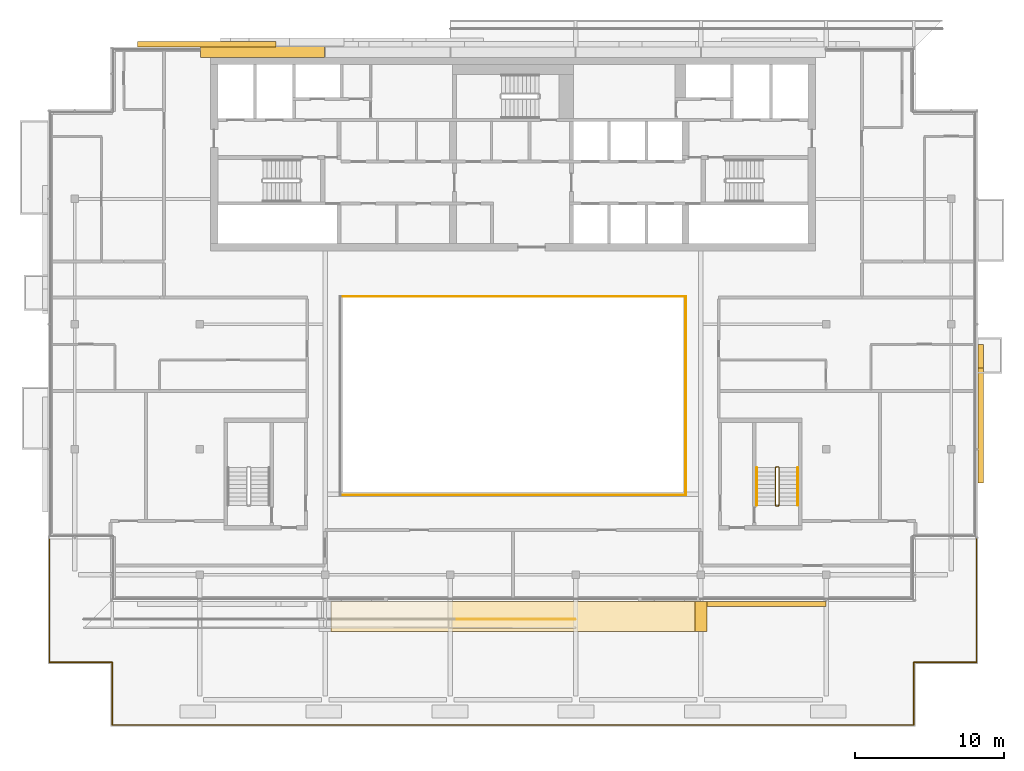
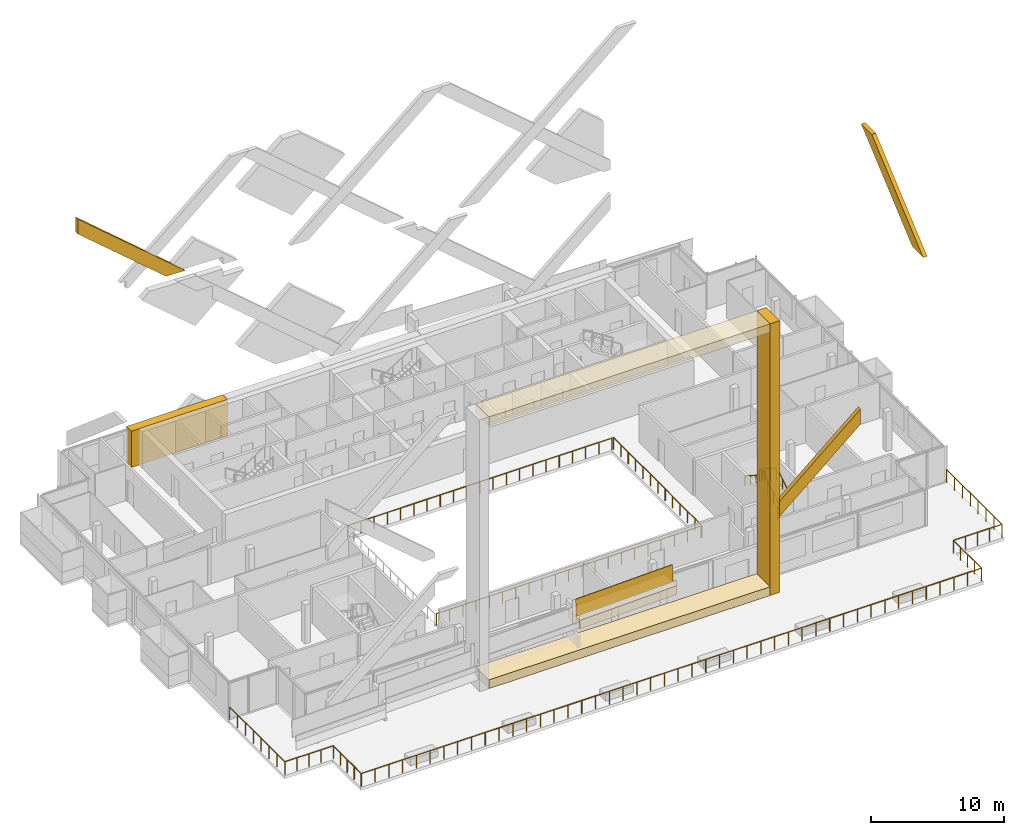
# One storey, part 19 of 22: 8 coverings, 8 railings.
"""IFC4 building model written with IfcOpenShell, lengths in metres."""

from ifc_helpers import new_model, si_unit, direction, frame, origin, origin_2d, place, context, subcontext, project, spatial, polyline, rectangle, circle, outline, extrude, material, layer, layer_set, type_object, element, save


model = new_model("IFC4")

# Units and contexts
model_context = context("Model", 3, precision=1e-05, world=origin(), true_north=direction((0.0, 1.0)))
body_context = subcontext(model_context, "Body", "Model", "MODEL_VIEW")
ifc_project = project(units=[si_unit("LENGTHUNIT", "METRE"), si_unit("AREAUNIT", "SQUARE_METRE"), si_unit("VOLUMEUNIT", "CUBIC_METRE"), si_unit("PLANEANGLEUNIT", "RADIAN"), si_unit("MASSUNIT", "GRAM", prefix="KILO")], contexts=[model_context])

# Site, building, storey
site_placement = place(None, origin())
site = spatial("IfcSite", under=ifc_project, at=site_placement, CompositionType="ELEMENT")
building_placement = place(site_placement, origin())
building = spatial("IfcBuilding", under=site, at=building_placement, Name="Saffron Gate Tower", CompositionType="ELEMENT")
storey_placement = place(building_placement, frame((0.0, 0.0, 285.14990234375)))
storey = spatial("IfcBuildingStorey", under=building, at=storey_placement, Name="L69", CompositionType="ELEMENT", Elevation=285.14990234375)

# Railings
ifc_material_1 = material(Name="Stainless steel and laminated glass", Category="steel")
railing_type_1 = type_object("IfcRailingType", Name="AG1 Atrium edge guard 1100", PredefinedType="GUARDRAIL", material=ifc_material_1)
railing_1_placement = place(storey_placement, frame((76.139892578125, 58.860107421875, 0.0)))
element("IfcRailing", 1, at=railing_1_placement, inside=storey, type_object=railing_type_1, Name="Guard E4-2", PredefinedType="GUARDRAIL", context=body_context, shape_type="SweptSolid", body=[
    extrude(circle(Radius=0.02392578125, at=origin_2d()), frame((0.0, 0.0, 1.076171875), z_axis=(1.0, 0.0, 0.0), x_axis=(0.0, 1.0, 0.0)), (0.0, 0.0, 1.0), 22.920166015625),
    extrude(circle(Radius=0.02099609375, at=origin_2d()), origin(), (0.0, 0.0, 1.0), 1.052001953125),
    extrude(circle(Radius=0.02099609375, at=origin_2d()), frame((1.14599609375, 0.0, 0.0)), (0.0, 0.0, 1.0), 1.052001953125),
    extrude(circle(Radius=0.02099609375, at=origin_2d()), frame((2.2919921875, 0.0, 0.0)), (0.0, 0.0, 1.0), 1.052001953125),
    extrude(circle(Radius=0.02099609375, at=origin_2d()), frame((3.43798828125, 0.0, 0.0)), (0.0, 0.0, 1.0), 1.052001953125),
    extrude(circle(Radius=0.02099609375, at=origin_2d()), frame((4.583984375, 0.0, 0.0)), (0.0, 0.0, 1.0), 1.052001953125),
    extrude(circle(Radius=0.02099609375, at=origin_2d()), frame((5.72998046875, 0.0, 0.0)), (0.0, 0.0, 1.0), 1.052001953125),
    extrude(circle(Radius=0.02099609375, at=origin_2d()), frame((6.8759765625, 0.0, 0.0)), (0.0, 0.0, 1.0), 1.052001953125),
    extrude(circle(Radius=0.02099609375, at=origin_2d()), frame((8.02197265625, 0.0, 0.0)), (0.0, 0.0, 1.0), 1.052001953125),
    extrude(circle(Radius=0.02099609375, at=origin_2d()), frame((9.16796875, 0.0, 0.0)), (0.0, 0.0, 1.0), 1.052001953125),
    extrude(circle(Radius=0.02099609375, at=origin_2d()), frame((10.31396484375, 0.0, 0.0)), (0.0, 0.0, 1.0), 1.052001953125),
    extrude(circle(Radius=0.02099609375, at=origin_2d()), frame((11.4599609375, 0.0, 0.0)), (0.0, 0.0, 1.0), 1.052001953125),
    extrude(circle(Radius=0.02099609375, at=origin_2d()), frame((12.606201171875, 0.0, 0.0)), (0.0, 0.0, 1.0), 1.052001953125),
    extrude(circle(Radius=0.02099609375, at=origin_2d()), frame((13.752197265625, 0.0, 0.0)), (0.0, 0.0, 1.0), 1.052001953125),
    extrude(circle(Radius=0.02099609375, at=origin_2d()), frame((14.898193359375, 0.0, 0.0)), (0.0, 0.0, 1.0), 1.052001953125),
    extrude(circle(Radius=0.02099609375, at=origin_2d()), frame((16.044189453125, 0.0, 0.0)), (0.0, 0.0, 1.0), 1.052001953125),
    extrude(circle(Radius=0.02099609375, at=origin_2d()), frame((17.190185546875, 0.0, 0.0)), (0.0, 0.0, 1.0), 1.052001953125),
    extrude(circle(Radius=0.02099609375, at=origin_2d()), frame((18.336181640625, 0.0, 0.0)), (0.0, 0.0, 1.0), 1.052001953125),
    extrude(circle(Radius=0.02099609375, at=origin_2d()), frame((19.482177734375, 0.0, 0.0)), (0.0, 0.0, 1.0), 1.052001953125),
    extrude(circle(Radius=0.02099609375, at=origin_2d()), frame((20.628173828125, 0.0, 0.0)), (0.0, 0.0, 1.0), 1.052001953125),
    extrude(circle(Radius=0.02099609375, at=origin_2d()), frame((21.774169921875, 0.0, 0.0)), (0.0, 0.0, 1.0), 1.052001953125),
    extrude(circle(Radius=0.02099609375, at=origin_2d()), frame((22.920166015625, 0.0, 0.0)), (0.0, 0.0, 1.0), 1.052001953125),
])
railing_2_placement = place(storey_placement, frame((99.179931640625, 58.860107421875, 0.0)))
element("IfcRailing", 2, at=railing_2_placement, inside=storey, type_object=railing_type_1, Name="Guard E4-3", PredefinedType="GUARDRAIL", context=body_context, shape_type="SweptSolid", body=[
    extrude(circle(Radius=0.02392578125, at=origin_2d()), frame((0.0, 0.0, 1.076171875), z_axis=(0.0, -1.0, 0.0), x_axis=(1.0, 0.0, 0.0)), (0.0, 0.0, 1.0), 13.320068359375),
    extrude(circle(Radius=0.02099609375, at=origin_2d()), origin(), (0.0, 0.0, 1.0), 1.052001953125),
    extrude(circle(Radius=0.02099609375, at=origin_2d()), frame((0.0, -1.110107421875, 0.0)), (0.0, 0.0, 1.0), 1.052001953125),
    extrude(circle(Radius=0.02099609375, at=origin_2d()), frame((0.0, -2.219970703125, 0.0)), (0.0, 0.0, 1.0), 1.052001953125),
    extrude(circle(Radius=0.02099609375, at=origin_2d()), frame((0.0, -3.330078125, 0.0)), (0.0, 0.0, 1.0), 1.052001953125),
    extrude(circle(Radius=0.02099609375, at=origin_2d()), frame((0.0, -4.43994140625, 0.0)), (0.0, 0.0, 1.0), 1.052001953125),
    extrude(circle(Radius=0.02099609375, at=origin_2d()), frame((0.0, -5.550048828125, 0.0)), (0.0, 0.0, 1.0), 1.052001953125),
    extrude(circle(Radius=0.02099609375, at=origin_2d()), frame((0.0, -6.66015625, 0.0)), (0.0, 0.0, 1.0), 1.052001953125),
    extrude(circle(Radius=0.02099609375, at=origin_2d()), frame((0.0, -7.77001953125, 0.0)), (0.0, 0.0, 1.0), 1.052001953125),
    extrude(circle(Radius=0.02099609375, at=origin_2d()), frame((0.0, -8.880126953125, 0.0)), (0.0, 0.0, 1.0), 1.052001953125),
    extrude(circle(Radius=0.02099609375, at=origin_2d()), frame((0.0, -9.989990234375, 0.0)), (0.0, 0.0, 1.0), 1.052001953125),
    extrude(circle(Radius=0.02099609375, at=origin_2d()), frame((0.0, -11.10009765625, 0.0)), (0.0, 0.0, 1.0), 1.052001953125),
    extrude(circle(Radius=0.02099609375, at=origin_2d()), frame((0.0, -12.2099609375, 0.0)), (0.0, 0.0, 1.0), 1.052001953125),
    extrude(circle(Radius=0.02099609375, at=origin_2d()), frame((0.0, -13.320068359375, 0.0)), (0.0, 0.0, 1.0), 1.052001953125),
])
railing_3_placement = place(storey_placement, frame((99.06005859375, 45.5400390625, 0.0)))
element("IfcRailing", 3, at=railing_3_placement, inside=storey, type_object=railing_type_1, Name="Guard E4-4", PredefinedType="GUARDRAIL", context=body_context, shape_type="SweptSolid", body=[
    extrude(circle(Radius=0.02392578125, at=origin_2d()), frame((0.0, 0.0, 1.076171875), z_axis=(-1.0, 0.0, 0.0), x_axis=(0.0, -1.0, 0.0)), (0.0, 0.0, 1.0), 22.920166015625),
    extrude(circle(Radius=0.02099609375, at=origin_2d()), origin(), (0.0, 0.0, 1.0), 1.052001953125),
    extrude(circle(Radius=0.02099609375, at=origin_2d()), frame((-1.14599609375, 0.0, 0.0)), (0.0, 0.0, 1.0), 1.052001953125),
    extrude(circle(Radius=0.02099609375, at=origin_2d()), frame((-2.2919921875, 0.0, 0.0)), (0.0, 0.0, 1.0), 1.052001953125),
    extrude(circle(Radius=0.02099609375, at=origin_2d()), frame((-3.43798828125, 0.0, 0.0)), (0.0, 0.0, 1.0), 1.052001953125),
    extrude(circle(Radius=0.02099609375, at=origin_2d()), frame((-4.583984375, 0.0, 0.0)), (0.0, 0.0, 1.0), 1.052001953125),
    extrude(circle(Radius=0.02099609375, at=origin_2d()), frame((-5.72998046875, 0.0, 0.0)), (0.0, 0.0, 1.0), 1.052001953125),
    extrude(circle(Radius=0.02099609375, at=origin_2d()), frame((-6.8759765625, 0.0, 0.0)), (0.0, 0.0, 1.0), 1.052001953125),
    extrude(circle(Radius=0.02099609375, at=origin_2d()), frame((-8.02197265625, 0.0, 0.0)), (0.0, 0.0, 1.0), 1.052001953125),
    extrude(circle(Radius=0.02099609375, at=origin_2d()), frame((-9.16796875, 0.0, 0.0)), (0.0, 0.0, 1.0), 1.052001953125),
    extrude(circle(Radius=0.02099609375, at=origin_2d()), frame((-10.31396484375, 0.0, 0.0)), (0.0, 0.0, 1.0), 1.052001953125),
    extrude(circle(Radius=0.02099609375, at=origin_2d()), frame((-11.4599609375, 0.0, 0.0)), (0.0, 0.0, 1.0), 1.052001953125),
    extrude(circle(Radius=0.02099609375, at=origin_2d()), frame((-12.606201171875, 0.0, 0.0)), (0.0, 0.0, 1.0), 1.052001953125),
    extrude(circle(Radius=0.02099609375, at=origin_2d()), frame((-13.752197265625, 0.0, 0.0)), (0.0, 0.0, 1.0), 1.052001953125),
    extrude(circle(Radius=0.02099609375, at=origin_2d()), frame((-14.898193359375, 0.0, 0.0)), (0.0, 0.0, 1.0), 1.052001953125),
    extrude(circle(Radius=0.02099609375, at=origin_2d()), frame((-16.044189453125, 0.0, 0.0)), (0.0, 0.0, 1.0), 1.052001953125),
    extrude(circle(Radius=0.02099609375, at=origin_2d()), frame((-17.190185546875, 0.0, 0.0)), (0.0, 0.0, 1.0), 1.052001953125),
    extrude(circle(Radius=0.02099609375, at=origin_2d()), frame((-18.336181640625, 0.0, 0.0)), (0.0, 0.0, 1.0), 1.052001953125),
    extrude(circle(Radius=0.02099609375, at=origin_2d()), frame((-19.482177734375, 0.0, 0.0)), (0.0, 0.0, 1.0), 1.052001953125),
    extrude(circle(Radius=0.02099609375, at=origin_2d()), frame((-20.628173828125, 0.0, 0.0)), (0.0, 0.0, 1.0), 1.052001953125),
    extrude(circle(Radius=0.02099609375, at=origin_2d()), frame((-21.774169921875, 0.0, 0.0)), (0.0, 0.0, 1.0), 1.052001953125),
    extrude(circle(Radius=0.02099609375, at=origin_2d()), frame((-22.920166015625, 0.0, 0.0)), (0.0, 0.0, 1.0), 1.052001953125),
])
ifc_material_2 = material(Name="Stainless steel posts and toughened glass infill", Category="steel")
railing_type_2 = type_object("IfcRailingType", Name="BAL1 balustrade 1200", PredefinedType="BALUSTRADE", material=ifc_material_2)
railing_4_placement = place(storey_placement, frame((56.52001953125, 42.60009765625, 0.0)))
element("IfcRailing", 4, at=railing_4_placement, inside=storey, type_object=railing_type_2, Name="GUARD terrace edge", PredefinedType="BALUSTRADE", context=body_context, shape_type="SweptSolid", body=[
    extrude(circle(Radius=0.02392578125, at=origin_2d()), frame((0.0, 0.0, 1.17578125), z_axis=(0.0, -1.0, 0.0), x_axis=(1.0, 0.0, 0.0)), (0.0, 0.0, 1.0), 8.280029296875),
    extrude(circle(Radius=0.02392578125, at=origin_2d()), frame((0.0, -8.280029296875, 1.17578125), z_axis=(1.0, 0.0, 0.0), x_axis=(0.0, 1.0, 0.0)), (0.0, 0.0, 1.0), 4.199951171875),
    extrude(circle(Radius=0.02392578125, at=origin_2d()), frame((4.199951171875, -8.280029296875, 1.17578125), z_axis=(0.0, -1.0, 0.0), x_axis=(1.0, 0.0, 0.0)), (0.0, 0.0, 1.0), 4.199951171875),
    extrude(circle(Radius=0.02392578125, at=origin_2d()), frame((4.199951171875, -12.47998046875, 1.17578125), z_axis=(1.0, 0.0, 0.0), x_axis=(0.0, 1.0, 0.0)), (0.0, 0.0, 1.0), 53.760009765625),
    extrude(circle(Radius=0.02392578125, at=origin_2d()), frame((57.9599609375, -12.47998046875, 1.17578125), z_axis=(0.0, 1.0, 0.0), x_axis=(-1.0, 0.0, 0.0)), (0.0, 0.0, 1.0), 4.199951171875),
    extrude(circle(Radius=0.02392578125, at=origin_2d()), frame((57.9599609375, -8.280029296875, 1.17578125), z_axis=(1.0, 0.0, 0.0), x_axis=(0.0, 1.0, 0.0)), (0.0, 0.0, 1.0), 4.199951171875),
    extrude(circle(Radius=0.02392578125, at=origin_2d()), frame((62.159912109375, -8.280029296875, 1.17578125), z_axis=(0.0, 1.0, 0.0), x_axis=(-1.0, 0.0, 0.0)), (0.0, 0.0, 1.0), 8.280029296875),
    extrude(circle(Radius=0.02099609375, at=origin_2d()), origin(), (0.0, 0.0, 1.0), 1.15185546875),
    extrude(circle(Radius=0.02099609375, at=origin_2d()), frame((0.0, -1.182861328125, 0.0)), (0.0, 0.0, 1.0), 1.15185546875),
    extrude(circle(Radius=0.02099609375, at=origin_2d()), frame((0.0, -2.36572265625, 0.0)), (0.0, 0.0, 1.0), 1.15185546875),
    extrude(circle(Radius=0.02099609375, at=origin_2d()), frame((0.0, -3.548583984375, 0.0)), (0.0, 0.0, 1.0), 1.15185546875),
    extrude(circle(Radius=0.02099609375, at=origin_2d()), frame((0.0, -4.7314453125, 0.0)), (0.0, 0.0, 1.0), 1.15185546875),
    extrude(circle(Radius=0.02099609375, at=origin_2d()), frame((0.0, -5.914306640625, 0.0)), (0.0, 0.0, 1.0), 1.15185546875),
    extrude(circle(Radius=0.02099609375, at=origin_2d()), frame((0.0, -7.09716796875, 0.0)), (0.0, 0.0, 1.0), 1.15185546875),
    extrude(circle(Radius=0.02099609375, at=origin_2d()), frame((0.0, -8.280029296875, 0.0)), (0.0, 0.0, 1.0), 1.15185546875),
    extrude(circle(Radius=0.02099609375, at=origin_2d()), frame((1.050048828125, -8.280029296875, 0.0)), (0.0, 0.0, 1.0), 1.15185546875),
    extrude(circle(Radius=0.02099609375, at=origin_2d()), frame((2.10009765625, -8.280029296875, 0.0)), (0.0, 0.0, 1.0), 1.15185546875),
    extrude(circle(Radius=0.02099609375, at=origin_2d()), frame((3.14990234375, -8.280029296875, 0.0)), (0.0, 0.0, 1.0), 1.15185546875),
    extrude(circle(Radius=0.02099609375, at=origin_2d()), frame((4.199951171875, -8.280029296875, 0.0)), (0.0, 0.0, 1.0), 1.15185546875),
    extrude(circle(Radius=0.02099609375, at=origin_2d()), frame((4.199951171875, -9.330078125, 0.0)), (0.0, 0.0, 1.0), 1.15185546875),
    extrude(circle(Radius=0.02099609375, at=origin_2d()), frame((4.199951171875, -10.3798828125, 0.0)), (0.0, 0.0, 1.0), 1.15185546875),
    extrude(circle(Radius=0.02099609375, at=origin_2d()), frame((4.199951171875, -11.429931640625, 0.0)), (0.0, 0.0, 1.0), 1.15185546875),
    extrude(circle(Radius=0.02099609375, at=origin_2d()), frame((4.199951171875, -12.47998046875, 0.0)), (0.0, 0.0, 1.0), 1.15185546875),
    extrude(circle(Radius=0.02099609375, at=origin_2d()), frame((5.39453125, -12.47998046875, 0.0)), (0.0, 0.0, 1.0), 1.15185546875),
    extrude(circle(Radius=0.02099609375, at=origin_2d()), frame((6.58935546875, -12.47998046875, 0.0)), (0.0, 0.0, 1.0), 1.15185546875),
    extrude(circle(Radius=0.02099609375, at=origin_2d()), frame((7.783935546875, -12.47998046875, 0.0)), (0.0, 0.0, 1.0), 1.15185546875),
    extrude(circle(Radius=0.02099609375, at=origin_2d()), frame((8.978515625, -12.47998046875, 0.0)), (0.0, 0.0, 1.0), 1.15185546875),
    extrude(circle(Radius=0.02099609375, at=origin_2d()), frame((10.17333984375, -12.47998046875, 0.0)), (0.0, 0.0, 1.0), 1.15185546875),
    extrude(circle(Radius=0.02099609375, at=origin_2d()), frame((11.367919921875, -12.47998046875, 0.0)), (0.0, 0.0, 1.0), 1.15185546875),
    extrude(circle(Radius=0.02099609375, at=origin_2d()), frame((12.5625, -12.47998046875, 0.0)), (0.0, 0.0, 1.0), 1.15185546875),
    extrude(circle(Radius=0.02099609375, at=origin_2d()), frame((13.75732421875, -12.47998046875, 0.0)), (0.0, 0.0, 1.0), 1.15185546875),
    extrude(circle(Radius=0.02099609375, at=origin_2d()), frame((14.951904296875, -12.47998046875, 0.0)), (0.0, 0.0, 1.0), 1.15185546875),
    extrude(circle(Radius=0.02099609375, at=origin_2d()), frame((16.146728515625, -12.47998046875, 0.0)), (0.0, 0.0, 1.0), 1.15185546875),
    extrude(circle(Radius=0.02099609375, at=origin_2d()), frame((17.34130859375, -12.47998046875, 0.0)), (0.0, 0.0, 1.0), 1.15185546875),
    extrude(circle(Radius=0.02099609375, at=origin_2d()), frame((18.535888671875, -12.47998046875, 0.0)), (0.0, 0.0, 1.0), 1.15185546875),
    extrude(circle(Radius=0.02099609375, at=origin_2d()), frame((19.730712890625, -12.47998046875, 0.0)), (0.0, 0.0, 1.0), 1.15185546875),
    extrude(circle(Radius=0.02099609375, at=origin_2d()), frame((20.92529296875, -12.47998046875, 0.0)), (0.0, 0.0, 1.0), 1.15185546875),
    extrude(circle(Radius=0.02099609375, at=origin_2d()), frame((22.119873046875, -12.47998046875, 0.0)), (0.0, 0.0, 1.0), 1.15185546875),
    extrude(circle(Radius=0.02099609375, at=origin_2d()), frame((23.314697265625, -12.47998046875, 0.0)), (0.0, 0.0, 1.0), 1.15185546875),
    extrude(circle(Radius=0.02099609375, at=origin_2d()), frame((24.50927734375, -12.47998046875, 0.0)), (0.0, 0.0, 1.0), 1.15185546875),
    extrude(circle(Radius=0.02099609375, at=origin_2d()), frame((25.703857421875, -12.47998046875, 0.0)), (0.0, 0.0, 1.0), 1.15185546875),
    extrude(circle(Radius=0.02099609375, at=origin_2d()), frame((26.898681640625, -12.47998046875, 0.0)), (0.0, 0.0, 1.0), 1.15185546875),
    extrude(circle(Radius=0.02099609375, at=origin_2d()), frame((28.09326171875, -12.47998046875, 0.0)), (0.0, 0.0, 1.0), 1.15185546875),
    extrude(circle(Radius=0.02099609375, at=origin_2d()), frame((29.287841796875, -12.47998046875, 0.0)), (0.0, 0.0, 1.0), 1.15185546875),
    extrude(circle(Radius=0.02099609375, at=origin_2d()), frame((30.482666015625, -12.47998046875, 0.0)), (0.0, 0.0, 1.0), 1.15185546875),
    extrude(circle(Radius=0.02099609375, at=origin_2d()), frame((31.67724609375, -12.47998046875, 0.0)), (0.0, 0.0, 1.0), 1.15185546875),
    extrude(circle(Radius=0.02099609375, at=origin_2d()), frame((32.8720703125, -12.47998046875, 0.0)), (0.0, 0.0, 1.0), 1.15185546875),
    extrude(circle(Radius=0.02099609375, at=origin_2d()), frame((34.066650390625, -12.47998046875, 0.0)), (0.0, 0.0, 1.0), 1.15185546875),
    extrude(circle(Radius=0.02099609375, at=origin_2d()), frame((35.26123046875, -12.47998046875, 0.0)), (0.0, 0.0, 1.0), 1.15185546875),
    extrude(circle(Radius=0.02099609375, at=origin_2d()), frame((36.4560546875, -12.47998046875, 0.0)), (0.0, 0.0, 1.0), 1.15185546875),
    extrude(circle(Radius=0.02099609375, at=origin_2d()), frame((37.650634765625, -12.47998046875, 0.0)), (0.0, 0.0, 1.0), 1.15185546875),
    extrude(circle(Radius=0.02099609375, at=origin_2d()), frame((38.84521484375, -12.47998046875, 0.0)), (0.0, 0.0, 1.0), 1.15185546875),
    extrude(circle(Radius=0.02099609375, at=origin_2d()), frame((40.0400390625, -12.47998046875, 0.0)), (0.0, 0.0, 1.0), 1.15185546875),
    extrude(circle(Radius=0.02099609375, at=origin_2d()), frame((41.234619140625, -12.47998046875, 0.0)), (0.0, 0.0, 1.0), 1.15185546875),
    extrude(circle(Radius=0.02099609375, at=origin_2d()), frame((42.42919921875, -12.47998046875, 0.0)), (0.0, 0.0, 1.0), 1.15185546875),
    extrude(circle(Radius=0.02099609375, at=origin_2d()), frame((43.6240234375, -12.47998046875, 0.0)), (0.0, 0.0, 1.0), 1.15185546875),
    extrude(circle(Radius=0.02099609375, at=origin_2d()), frame((44.818603515625, -12.47998046875, 0.0)), (0.0, 0.0, 1.0), 1.15185546875),
    extrude(circle(Radius=0.02099609375, at=origin_2d()), frame((46.01318359375, -12.47998046875, 0.0)), (0.0, 0.0, 1.0), 1.15185546875),
    extrude(circle(Radius=0.02099609375, at=origin_2d()), frame((47.2080078125, -12.47998046875, 0.0)), (0.0, 0.0, 1.0), 1.15185546875),
    extrude(circle(Radius=0.02099609375, at=origin_2d()), frame((48.402587890625, -12.47998046875, 0.0)), (0.0, 0.0, 1.0), 1.15185546875),
    extrude(circle(Radius=0.02099609375, at=origin_2d()), frame((49.597412109375, -12.47998046875, 0.0)), (0.0, 0.0, 1.0), 1.15185546875),
    extrude(circle(Radius=0.02099609375, at=origin_2d()), frame((50.7919921875, -12.47998046875, 0.0)), (0.0, 0.0, 1.0), 1.15185546875),
    extrude(circle(Radius=0.02099609375, at=origin_2d()), frame((51.986572265625, -12.47998046875, 0.0)), (0.0, 0.0, 1.0), 1.15185546875),
    extrude(circle(Radius=0.02099609375, at=origin_2d()), frame((53.181396484375, -12.47998046875, 0.0)), (0.0, 0.0, 1.0), 1.15185546875),
    extrude(circle(Radius=0.02099609375, at=origin_2d()), frame((54.3759765625, -12.47998046875, 0.0)), (0.0, 0.0, 1.0), 1.15185546875),
    extrude(circle(Radius=0.02099609375, at=origin_2d()), frame((55.570556640625, -12.47998046875, 0.0)), (0.0, 0.0, 1.0), 1.15185546875),
    extrude(circle(Radius=0.02099609375, at=origin_2d()), frame((56.765380859375, -12.47998046875, 0.0)), (0.0, 0.0, 1.0), 1.15185546875),
    extrude(circle(Radius=0.02099609375, at=origin_2d()), frame((57.9599609375, -12.47998046875, 0.0)), (0.0, 0.0, 1.0), 1.15185546875),
    extrude(circle(Radius=0.02099609375, at=origin_2d()), frame((57.9599609375, -11.429931640625, 0.0)), (0.0, 0.0, 1.0), 1.15185546875),
    extrude(circle(Radius=0.02099609375, at=origin_2d()), frame((57.9599609375, -10.3798828125, 0.0)), (0.0, 0.0, 1.0), 1.15185546875),
    extrude(circle(Radius=0.02099609375, at=origin_2d()), frame((57.9599609375, -9.330078125, 0.0)), (0.0, 0.0, 1.0), 1.15185546875),
    extrude(circle(Radius=0.02099609375, at=origin_2d()), frame((57.9599609375, -8.280029296875, 0.0)), (0.0, 0.0, 1.0), 1.15185546875),
    extrude(circle(Radius=0.02099609375, at=origin_2d()), frame((59.010009765625, -8.280029296875, 0.0)), (0.0, 0.0, 1.0), 1.15185546875),
    extrude(circle(Radius=0.02099609375, at=origin_2d()), frame((60.06005859375, -8.280029296875, 0.0)), (0.0, 0.0, 1.0), 1.15185546875),
    extrude(circle(Radius=0.02099609375, at=origin_2d()), frame((61.10986328125, -8.280029296875, 0.0)), (0.0, 0.0, 1.0), 1.15185546875),
    extrude(circle(Radius=0.02099609375, at=origin_2d()), frame((62.159912109375, -8.280029296875, 0.0)), (0.0, 0.0, 1.0), 1.15185546875),
    extrude(circle(Radius=0.02099609375, at=origin_2d()), frame((62.159912109375, -7.09716796875, 0.0)), (0.0, 0.0, 1.0), 1.15185546875),
    extrude(circle(Radius=0.02099609375, at=origin_2d()), frame((62.159912109375, -5.914306640625, 0.0)), (0.0, 0.0, 1.0), 1.15185546875),
    extrude(circle(Radius=0.02099609375, at=origin_2d()), frame((62.159912109375, -4.7314453125, 0.0)), (0.0, 0.0, 1.0), 1.15185546875),
    extrude(circle(Radius=0.02099609375, at=origin_2d()), frame((62.159912109375, -3.548583984375, 0.0)), (0.0, 0.0, 1.0), 1.15185546875),
    extrude(circle(Radius=0.02099609375, at=origin_2d()), frame((62.159912109375, -2.36572265625, 0.0)), (0.0, 0.0, 1.0), 1.15185546875),
    extrude(circle(Radius=0.02099609375, at=origin_2d()), frame((62.159912109375, -1.182861328125, 0.0)), (0.0, 0.0, 1.0), 1.15185546875),
    extrude(circle(Radius=0.02099609375, at=origin_2d()), frame((62.159912109375, 0.0, 0.0)), (0.0, 0.0, 1.0), 1.15185546875),
])

# Covering
ifc_material_3 = material(Name="Ceramic-printed bronze insulated panel")
ifc_layer_1 = layer(ifc_material_3, 0.739990234375)
ifc_layer_set_1 = layer_set([ifc_layer_1], Name="CLD5 ceramic-printed cladding panel 740")
covering_type_1 = type_object("IfcCoveringType", Name="CLD5 ceramic-printed cladding panel 740", PredefinedType="CLADDING", material=ifc_layer_set_1)
covering_1_placement = place(storey_placement, origin())
element("IfcCovering", 5, at=covering_1_placement, inside=storey, type_object=covering_type_1, Name="CLADDING ceramic-printed panel", PredefinedType="CLADDING", context=body_context, shape_type="SweptSolid", body=[
    extrude(outline(polyline([(74.965087890625, 75.639892578125), (66.635009765625, 75.639892578125), (66.635009765625, 74.89990234375), (74.965087890625, 74.89990234375), (74.965087890625, 75.639892578125)])), origin(), (0.0, 0.0, 1.0), 3.320068359375),
])

# Railings
railing_type_3 = type_object("IfcRailingType", Name="CR1 Stair guard 1100", PredefinedType="GUARDRAIL", material=ifc_material_1)
railing_5_placement = place(storey_placement, frame((105.25, 44.800048828125, 0.0)))
element("IfcRailing", 6, at=railing_5_placement, inside=storey, type_object=railing_type_3, Name="L69 ST-E stair guard 1", PredefinedType="GUARDRAIL", context=body_context, shape_type="SweptSolid", body=[
    extrude(circle(Radius=0.02392578125, at=origin_2d()), frame((0.0, 0.0, 1.076171875), z_axis=(1.0, 0.0, 0.0), x_axis=(0.0, 1.0, 0.0)), (0.0, 0.0, 1.0), 0.14990234375),
    extrude(circle(Radius=0.02392578125, at=origin_2d()), frame((0.14990234375, 0.0, 1.076171875), z_axis=(0.258543844998, 0.258543844998, 0.930757841991), x_axis=(-0.707106781187, 0.707106781187, 0.0)), (0.0, 0.0, 1.0), 0.193603515625),
    extrude(circle(Radius=0.02392578125, at=origin_2d()), frame((0.199951171875, 0.050048828125, 1.25634765625), z_axis=(0.0, 0.841199657755, 0.540724639528), x_axis=(-1.0, 0.0, 0.0)), (0.0, 0.0, 1.0), 2.995849609375),
    extrude(circle(Radius=0.02392578125, at=origin_2d()), frame((0.199951171875, 2.570068359375, 2.8759765625), z_axis=(-0.708833529934, 0.705375805398, 0.0), x_axis=(-0.705375805398, -0.708833529934, 0.0)), (0.0, 0.0, 1.0), 0.070556640625),
    extrude(circle(Radius=0.02392578125, at=origin_2d()), frame((0.14990234375, 2.619873046875, 2.8759765625), z_axis=(-1.0, 0.0, 0.0), x_axis=(0.0, -1.0, 0.0)), (0.0, 0.0, 1.0), 0.14990234375),
    extrude(circle(Radius=0.02392578125, at=origin_2d()), frame((0.0, 2.619873046875, 2.8759765625), z_axis=(-0.258932105505, -0.257669022063, 0.930892496375), x_axis=(0.705375805398, -0.708833529934, 0.0)), (0.0, 0.0, 1.0), 0.193359375),
    extrude(circle(Radius=0.02392578125, at=origin_2d()), frame((-0.050048828125, 2.570068359375, 3.05615234375), z_axis=(0.0, -0.841162588446, 0.540782303519), x_axis=(1.0, 0.0, 0.0)), (0.0, 0.0, 1.0), 2.995849609375),
    extrude(circle(Radius=0.02099609375, at=origin_2d()), origin(), (0.0, 0.0, 1.0), 1.052001953125),
    extrude(circle(Radius=0.02099609375, at=origin_2d()), frame((0.14990234375, 0.0, 0.0)), (0.0, 0.0, 1.0), 1.052001953125),
    extrude(circle(Radius=0.02099609375, at=origin_2d()), frame((0.199951171875, 0.050048828125, 0.18017578125)), (0.0, 0.0, 1.0), 1.052001953125),
    extrude(circle(Radius=0.02099609375, at=origin_2d()), frame((0.199951171875, 0.89013671875, 0.72021484375)), (0.0, 0.0, 1.0), 1.052001953125),
    extrude(circle(Radius=0.02099609375, at=origin_2d()), frame((0.199951171875, 1.72998046875, 1.260009765625)), (0.0, 0.0, 1.0), 1.052001953125),
    extrude(circle(Radius=0.02099609375, at=origin_2d()), frame((0.199951171875, 2.570068359375, 1.800048828125)), (0.0, 0.0, 1.0), 1.052001953125),
    extrude(circle(Radius=0.02099609375, at=origin_2d()), frame((0.14990234375, 2.619873046875, 1.800048828125)), (0.0, 0.0, 1.0), 1.052001953125),
    extrude(circle(Radius=0.02099609375, at=origin_2d()), frame((0.0, 2.619873046875, 1.800048828125)), (0.0, 0.0, 1.0), 1.052001953125),
    extrude(circle(Radius=0.02099609375, at=origin_2d()), frame((-0.050048828125, 2.570068359375, 1.97998046875)), (0.0, 0.0, 1.0), 1.052001953125),
    extrude(circle(Radius=0.02099609375, at=origin_2d()), frame((-0.050048828125, 1.72998046875, 2.52001953125)), (0.0, 0.0, 1.0), 1.052001953125),
    extrude(circle(Radius=0.02099609375, at=origin_2d()), frame((-0.050048828125, 0.89013671875, 3.06005859375)), (0.0, 0.0, 1.0), 1.052001953125),
    extrude(circle(Radius=0.02099609375, at=origin_2d()), frame((-0.050048828125, 0.050048828125, 3.60009765625)), (0.0, 0.0, 1.0), 1.052001953125),
])
ifc_material_4 = material(Name="Stainless steel", Category="steel")
railing_type_4 = type_object("IfcRailingType", Name="CR2 Stair handrail 900", PredefinedType="HANDRAIL", material=ifc_material_4)
railing_6_placement = place(storey_placement, frame((106.699951171875, 44.85009765625, 0.18017578125)))
element("IfcRailing", 7, at=railing_6_placement, inside=storey, type_object=railing_type_4, Name="L69 ST-E stair handrail 1", PredefinedType="HANDRAIL", context=body_context, shape_type="SweptSolid", body=[
    extrude(circle(Radius=0.02392578125, at=origin_2d()), frame((0.0, 0.0, 0.8759765625), z_axis=(0.0, 0.841199657755, 0.540724639528), x_axis=(-1.0, 0.0, 0.0)), (0.0, 0.0, 1.0), 2.995849609375),
    extrude(circle(Radius=0.02099609375, at=origin_2d()), origin(), (0.0, 0.0, 1.0), 0.851806640625),
    extrude(circle(Radius=0.02099609375, at=origin_2d()), frame((0.0, 0.840087890625, 0.5400390625)), (0.0, 0.0, 1.0), 0.851806640625),
    extrude(circle(Radius=0.02099609375, at=origin_2d()), frame((0.0, 1.679931640625, 1.079833984375)), (0.0, 0.0, 1.0), 0.851806640625),
    extrude(circle(Radius=0.02099609375, at=origin_2d()), frame((0.0, 2.52001953125, 1.619873046875)), (0.0, 0.0, 1.0), 0.851806640625),
])
railing_7_placement = place(storey_placement, frame((103.949951171875, 47.3701171875, 1.97998046875)))
element("IfcRailing", 8, at=railing_7_placement, inside=storey, type_object=railing_type_4, Name="L69 ST-E stair handrail 2", PredefinedType="HANDRAIL", context=body_context, shape_type="SweptSolid", body=[
    extrude(circle(Radius=0.02392578125, at=origin_2d()), frame((0.0, 0.0, 0.8759765625), z_axis=(0.0, -0.841162588446, 0.540782303519), x_axis=(1.0, 0.0, 0.0)), (0.0, 0.0, 1.0), 2.995849609375),
    extrude(circle(Radius=0.02099609375, at=origin_2d()), origin(), (0.0, 0.0, 1.0), 0.851806640625),
    extrude(circle(Radius=0.02099609375, at=origin_2d()), frame((0.0, -0.840087890625, 0.5400390625)), (0.0, 0.0, 1.0), 0.851806640625),
    extrude(circle(Radius=0.02099609375, at=origin_2d()), frame((0.0, -1.679931640625, 1.080078125)), (0.0, 0.0, 1.0), 0.851806640625),
    extrude(circle(Radius=0.02099609375, at=origin_2d()), frame((0.0, -2.52001953125, 1.6201171875)), (0.0, 0.0, 1.0), 0.851806640625),
])

# Coverings
ifc_layer_2 = layer(ifc_material_3, 0.800048828125)
ifc_layer_set_2 = layer_set([ifc_layer_2], Name="FN1 atrium fin")
covering_type_2 = type_object("IfcCoveringType", Name="FN1 atrium fin", PredefinedType="CLADDING", material=ifc_layer_set_2)
covering_2_placement = place(storey_placement, origin())
element("IfcCovering", 9, at=covering_2_placement, inside=storey, type_object=covering_type_2, Name="CLADDING atrium fin", PredefinedType="CLADDING", context=body_context, shape_type="SweptSolid", body=[
    extrude(outline(polyline([(99.800048828125, 38.39990234375), (100.60009765625, 38.39990234375), (100.60009765625, 36.39990234375), (99.800048828125, 36.39990234375), (99.800048828125, 38.39990234375)])), origin(), (0.0, 0.0, 1.0), 24.900146484375),
])
for number, where, name in (
    (10, (0.0, 0.0, 0.0), "CLADDING atrium lintel fin"),
    (11, (0.0, 0.0, 24.10009765625), "CLADDING atrium lintel fin"),
):
    element("IfcCovering", number, at=place(storey_placement, frame(where)), inside=storey, type_object=covering_type_2, Name=name, PredefinedType="CLADDING", context=body_context, shape_type="SweptSolid", body=[
        extrude(outline(polyline([(75.39990234375, 38.39990234375), (99.800048828125, 38.39990234375), (99.800048828125, 36.39990234375), (75.39990234375, 36.39990234375), (75.39990234375, 38.39990234375)])), origin(), (0.0, 0.0, 1.0), 0.800048828125),
    ])
ifc_material_5 = material(Name="Timber, thermally modified ash", Category="wood")
ifc_layer_3 = layer(ifc_material_5, 0.800048828125)
ifc_layer_set_3 = layer_set([ifc_layer_3], Name="LD1 ledge timber")
covering_type_3 = type_object("IfcCoveringType", Name="LD1 ledge timber", PredefinedType="CLADDING", material=ifc_layer_set_3)
covering_3_placement = place(storey_placement, frame((83.39990234375, 38.39990234375, 3.333251953125), z_axis=(-0.028790339263, 0.0, 0.999585472266), x_axis=(0.999585472266, 0.0, 0.028790339263)))
element("IfcCovering", 12, at=covering_3_placement, inside=storey, type_object=covering_type_3, Name="LEDGE", PredefinedType="CLADDING", context=body_context, shape_type="SweptSolid", body=[
    extrude(outline(polyline([(0.0, 0.0), (8.403630022085892, 0.0), (8.403630022085892, -1.7998046875), (0.0, -1.7998046875), (0.0, 0.0)])), origin(), (0.0, 0.0, -1.0), 0.800048828125),
])

# Railing
railing_type_5 = type_object("IfcRailingType", Name="LG1 ledge balustrade", PredefinedType="BALUSTRADE", material=ifc_material_5)
railing_8_placement = place(storey_placement, frame((83.39990234375, 37.199951171875, 3.333251953125)))
element("IfcRailing", 13, at=railing_8_placement, inside=storey, type_object=railing_type_5, Name="LEDGE BALUSTRADE", PredefinedType="BALUSTRADE", context=body_context, shape_type="SweptSolid", body=[
    extrude(rectangle(XDim=0.06005859375, YDim=1.60009765625, at=origin_2d()), frame((0.0, 0.0, 0.800048828125), z_axis=(0.999585472266, 0.0, 0.028790339263), x_axis=(0.0, 1.0, 0.0)), (0.0, 0.0, 1.0), 8.403564453125),
])

# Coverings
ifc_layer_4 = layer(ifc_material_3, 0.35009765625)
ifc_layer_set_4 = layer_set([ifc_layer_4], Name="LZ1 lozenge lattice bar 1600")
covering_type_4 = type_object("IfcCoveringType", Name="LZ1 lozenge lattice bar 1600", PredefinedType="CLADDING", material=ifc_layer_set_4)
covering_4_placement = place(storey_placement, frame((100.199951171875, 38.050048828125, 5.82861328125), z_axis=(0.0, -1.0, 0.0), x_axis=(0.0, 0.0, -1.0)))
element("IfcCovering", 14, at=covering_4_placement, inside=storey, type_object=covering_type_4, Name="CLADDING lozenge lattice bar", PredefinedType="CLADDING", context=body_context, shape_type="SweptSolid", body=[
    extrude(outline(polyline([(0.0, 0.0), (0.70263671875, 0.0), (0.69091796875, 0.400146484375), (0.659912109375, 0.400146484375), (0.64697265625, 0.84521484375), (-5.82861328125, 8.400146484375), (-7.199951171875, 8.400146484375), (0.0, 0.0)])), origin(), (0.0, 0.0, -1.0), 0.35009765625),
])
covering_5_placement = place(storey_placement, frame((119.14990234375, 46.345458984375, 18.296142578125), z_axis=(1.0, 0.0, 0.0), x_axis=(0.0, 0.999586778905, 0.028744937603)))
element("IfcCovering", 15, at=covering_5_placement, inside=storey, type_object=covering_type_4, Name="CLADDING lozenge lattice bar", PredefinedType="CLADDING", context=body_context, shape_type="SweptSolid", body=[
    extrude(outline(polyline([(0.0, 0.0), (1.6562019557102479, 0.0), (9.490430247319791, 6.333819348729516), (7.891237824915942, 6.379807038210234), (0.0, 0.0)])), origin(), (0.0, 0.0, -1.0), 0.35009765625),
])
covering_6_placement = place(storey_placement, frame((71.70849609375, 75.949951171875, 15.849853515625), z_axis=(0.0, 1.0, 0.0), x_axis=(-0.999582532533, 0.0, 0.028892224801)))
element("IfcCovering", 16, at=covering_6_placement, inside=storey, type_object=covering_type_4, Name="CLADDING lozenge lattice bar", PredefinedType="CLADDING", context=body_context, shape_type="SweptSolid", body=[
    extrude(outline(polyline([(0.0, 0.0), (1.6562089914967124, 0.0), (9.4956108331188, 6.335717508122067), (9.535231835733065, 7.706482909792121), (0.0, 0.0)])), origin(), (0.0, 0.0, -1.0), 0.35009765625),
])

save(model, "model.ifc")
